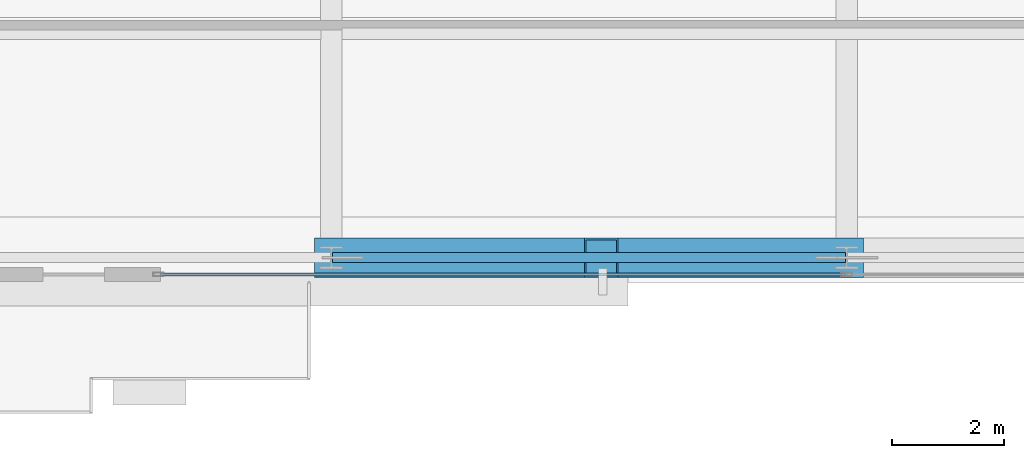
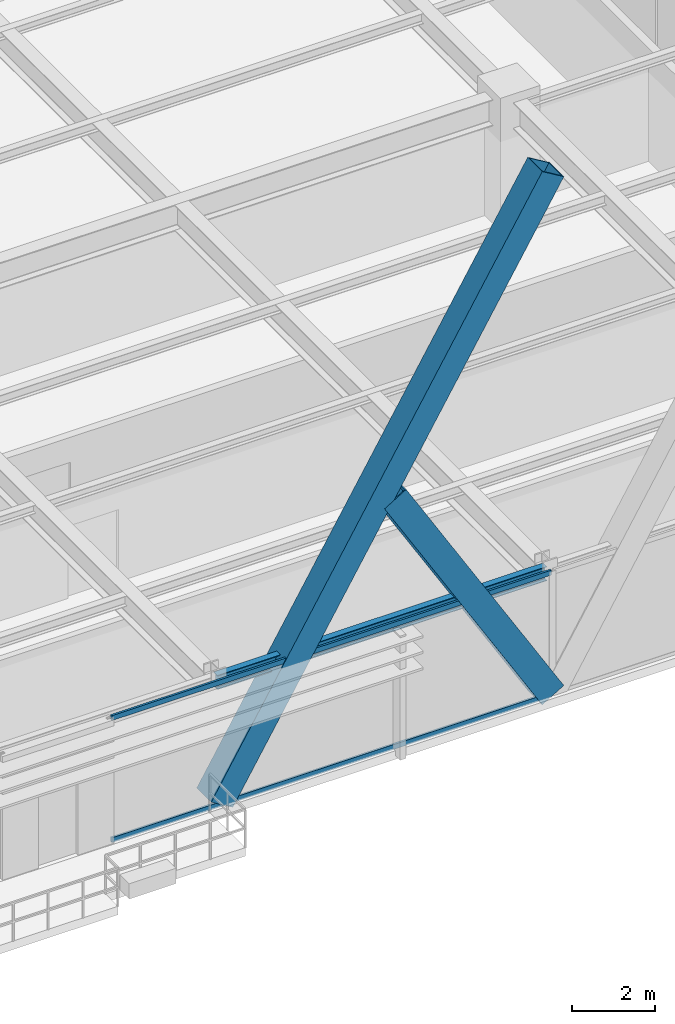
# One storey, part 6 of 32: 4 members, 1 beam, 1 element without a shape of its own.
"""IFC4 building model written with IfcOpenShell, lengths in metres."""

from ifc_helpers import new_model, si_unit, direction, frame, origin, origin_2d, place, context, subcontext, project, spatial, hollow_rectangle, i_section, extrude, source, transform, mapped, material, layer, layer_set, material_profile, profile_set, type_object, type_shapes, element, aggregate, save


model = new_model("IFC4")

# Units and contexts
model_context = context("Model", 3, precision=1e-05, world=origin(), true_north=direction((0.0, 1.0)))
body_context = subcontext(model_context, "Body", "Model", "MODEL_VIEW")
ifc_project = project(units=[si_unit("LENGTHUNIT", "METRE"), si_unit("AREAUNIT", "SQUARE_METRE"), si_unit("VOLUMEUNIT", "CUBIC_METRE"), si_unit("PLANEANGLEUNIT", "RADIAN"), si_unit("MASSUNIT", "GRAM", prefix="KILO")], contexts=[model_context])

# Site, building, storey
site_placement = place(None, origin())
site = spatial("IfcSite", under=ifc_project, at=site_placement, CompositionType="ELEMENT")
building_placement = place(site_placement, origin())
building = spatial("IfcBuilding", under=site, at=building_placement, Name="Varnel Quay Broadcast Tower", CompositionType="ELEMENT")
storey_placement = place(building_placement, frame((0.0, 0.0, 43.199951171875)))
storey = spatial("IfcBuildingStorey", under=building, at=storey_placement, Name="L09", CompositionType="ELEMENT", Elevation=43.199951171875)

# Beam
ifc_material_1 = material(Name="Structural Steel CSA G40.21 350W", Category="steel")
ifc_material_profile_1 = material_profile(ifc_material_1, i_section(OverallWidth=0.180908203125, OverallDepth=0.4169921875, WebThickness=0.010986328125, FlangeThickness=0.018310546875, FilletRadius=0.011962890625, at=origin_2d()), Name="W410X85")
ifc_profile_set_1 = profile_set([ifc_material_profile_1], Name="Structural Steel CSA G40.21 350W")
beam_type = type_object("IfcBeamType", Name="Beam_W410X85", PredefinedType="SPANDREL", material=ifc_profile_set_1)
shared_shape_1 = source(origin(), body_context, "Body", "SweptSolid", [
    extrude(i_section(OverallWidth=0.180908203125, OverallDepth=0.4169921875, WebThickness=0.010986328125, FlangeThickness=0.018310546875, FilletRadius=0.011962890625, at=origin_2d()), origin(), (0.0, 0.0, 1.0), 9.159912109375),
])
type_shapes(beam_type, [shared_shape_1])
beam_placement = place(storey_placement, frame((24.820068359375, 1.64990234375, 3.441650390625), z_axis=(1.0, 0.0, 0.0), x_axis=(0.0, 1.0, 0.0)))
element("IfcBeam", 1, at=beam_placement, inside=storey, type_object=beam_type, Name="L09 South Spandrel TC-S2-TC-S3", PredefinedType="SPANDREL", context=body_context, shape_type="MappedRepresentation", body=[
    mapped(shared_shape_1, transform((0.0, 0.0, 0.0), x_axis=(1.0, 0.0, 0.0), y_axis=(0.0, 1.0, 0.0), z_axis=(0.0, 0.0, 1.0), scale=1.0)),
])

# Members
ifc_material_2 = material(Name="Structural Steel CSA G40.21 350WT", Category="steel")
ifc_material_profile_2 = material_profile(ifc_material_2, hollow_rectangle(XDim=0.699951171875, YDim=0.699951171875, WallThickness=0.031982421875, at=origin_2d()), Name="BOX700X700X32")
ifc_profile_set_2 = profile_set([ifc_material_profile_2], Name="Structural Steel CSA G40.21 350WT")
member_type_1 = type_object("IfcMemberType", Name="Brace_BOX700X700X32", PredefinedType="BRACE", material=ifc_profile_set_2)
shared_shape_2 = source(origin(), body_context, "Body", "SweptSolid", [
    extrude(hollow_rectangle(XDim=0.699951171875, YDim=0.699951171875, WallThickness=0.031982421875, at=origin_2d()), origin(), (0.0, 0.0, 1.0), 17.861572265625),
])
member_1_placement = place(storey_placement, frame((24.800048828125, 1.64990234375, 0.02001953125), z_axis=(0.515068509815, 0.0, 0.857149012831), x_axis=(0.0, 1.0, 0.0)))
element("IfcMember", 2, at=member_1_placement, inside=storey, type_object=member_type_1, Name="Zone 1 Mega-Brace S-C1T2 Continuous Diag A", PredefinedType="BRACE", context=body_context, shape_type="MappedRepresentation", body=[
    mapped(shared_shape_2, transform((0.0, 0.0, 0.0), x_axis=(1.0, 0.0, 0.0), y_axis=(0.0, 1.0, 0.0), z_axis=(0.0, 0.0, 1.0), scale=1.0)),
])
shared_shape_3 = source(origin(), body_context, "Body", "SweptSolid", [
    extrude(hollow_rectangle(XDim=0.699951171875, YDim=0.699951171875, WallThickness=0.031982421875, at=origin_2d()), origin(), (0.0, 0.0, 1.0), 8.509521484375),
])
type_shapes(member_type_1, [shared_shape_2, shared_shape_3])
member_2_placement = place(storey_placement, frame((34.0, 1.64990234375, 0.02001953125), z_axis=(-0.51505258093, 0.0, 0.857158584439), x_axis=(0.0, -1.0, 0.0)))
element("IfcMember", 3, at=member_2_placement, inside=storey, type_object=member_type_1, Name="Zone 1 Mega-Brace S-C1T2 Split Diag B1", PredefinedType="BRACE", context=body_context, shape_type="MappedRepresentation", body=[
    mapped(shared_shape_3, transform((0.0, 0.0, 0.0), x_axis=(1.0, 0.0, 0.0), y_axis=(0.0, 1.0, 0.0), z_axis=(0.0, 0.0, 1.0), scale=1.0)),
])

# Curtain wall, members
ifc_material_3 = material(Name="Anodised Bronze Aluminium 6063-T6", Category="aluminium")
ifc_layer = layer(ifc_material_3, 0.18994140625, Name="Anodised Bronze Aluminium 6063-T6")
ifc_layer_set = layer_set([ifc_layer], Name="Anodised Bronze Aluminium 6063-T6")
curtain_wall_type = type_object("IfcCurtainWallType", Name="CW_LowerTower", PredefinedType="NOTDEFINED", material=ifc_layer_set)
curtain_wall_placement = place(storey_placement, origin())
curtain_wall = element("IfcCurtainWall", 4, at=curtain_wall_placement, inside=storey, type_object=curtain_wall_type, Name="L09 South Unitised Curtain Wall 2", PredefinedType="NOTDEFINED")
ifc_material_profile_3 = material_profile(ifc_material_3, hollow_rectangle(XDim=0.06005859375, YDim=0.14501953125, WallThickness=0.00341796875, at=origin_2d()), Name="ALU60X145X3.5")
ifc_profile_set_3 = profile_set([ifc_material_profile_3], Name="Anodised Bronze Aluminium 6063-T6")
member_type_2 = type_object("IfcMemberType", Name="Tran_CWS-02", PredefinedType="USERDEFINED", material=ifc_profile_set_3)
shared_shape_4 = source(origin(), body_context, "Body", "SweptSolid", [
    extrude(hollow_rectangle(XDim=0.06005859375, YDim=0.14501953125, WallThickness=0.00341796875, at=origin_2d()), origin(), (0.0, 0.0, 1.0), 12.215087890625),
])
type_shapes(member_type_2, [shared_shape_4])
member_3_placement = place(storey_placement, frame((21.75, 1.35009765625, 0.030029296875), z_axis=(1.0, 0.0, 0.0), x_axis=(0.0, 1.0, 0.0)))
member_3 = element("IfcMember", 5, at=member_3_placement, type_object=member_type_2, Name="CWS-02 transom 1.1", ObjectType="TRANSOM", PredefinedType="USERDEFINED", context=body_context, shape_type="MappedRepresentation", body=[
    mapped(shared_shape_4, transform((0.0, 0.0, 0.0), x_axis=(1.0, 0.0, 0.0), y_axis=(0.0, 1.0, 0.0), z_axis=(0.0, 0.0, 1.0), scale=1.0)),
])
member_4_placement = place(storey_placement, frame((21.75, 1.35009765625, 3.6201171875), z_axis=(1.0, 0.0, 0.0), x_axis=(0.0, 1.0, 0.0)))
member_4 = element("IfcMember", 6, at=member_4_placement, type_object=member_type_2, Name="CWS-02 transom 1.2", ObjectType="TRANSOM", PredefinedType="USERDEFINED", context=body_context, shape_type="MappedRepresentation", body=[
    mapped(shared_shape_4, transform((0.0, 0.0, 0.0), x_axis=(1.0, 0.0, 0.0), y_axis=(0.0, 1.0, 0.0), z_axis=(0.0, 0.0, 1.0), scale=1.0)),
])
aggregate(curtain_wall, [member_3, member_4])

save(model, "model.ifc")
